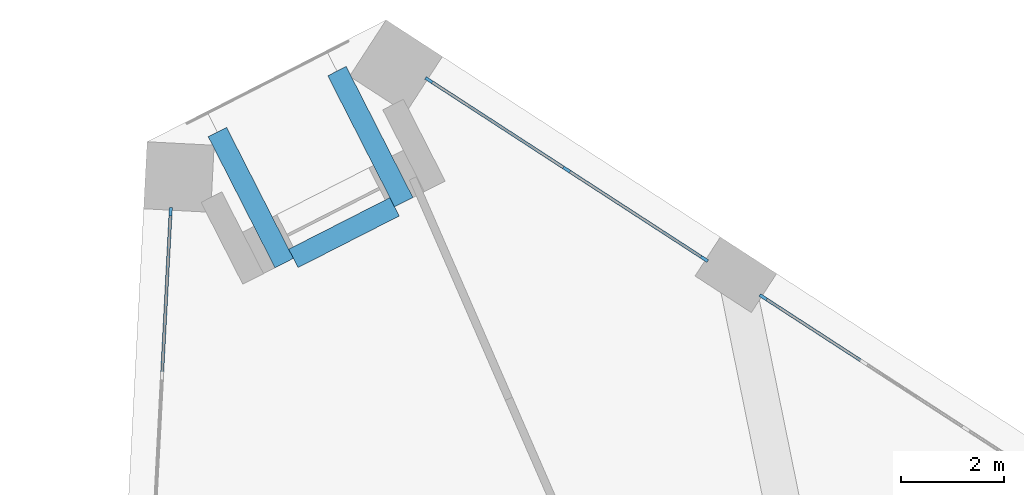
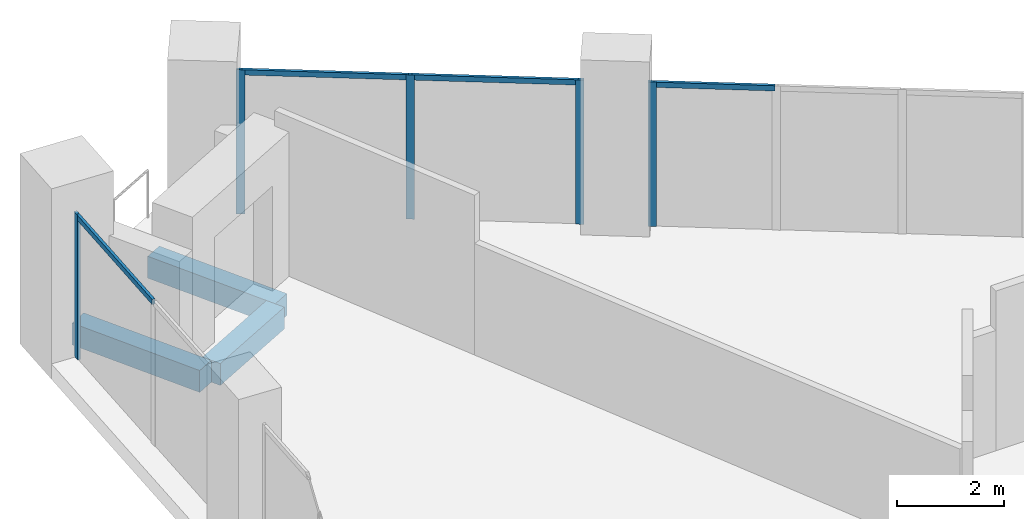
# One storey, part 8 of 18: 9 members, 3 beams, 3 elements without a shape of their own.
"""IFC4 building model written with IfcOpenShell, lengths in metres."""

import ifcopenshell
import ifcopenshell.guid

model = None  # the IFC model being written
_history = None  # IfcOwnerHistory: only IFC2X3 demands one
_inside = {}  # id of a spatial element -> (the spatial element, [elements in it])
_under = {}  # id of a project, library or spatial element -> (it, [spatial elements below it])
_declared = {}  # id of a project -> (the project, [libraries it declares])
_typed = {}  # id of a type object -> (the type object, [elements of that type])
_made_of = {}  # id of a material, layer set ... -> (it, [elements and type objects made of it])


def new_model(schema):
    """Start an empty IFC model of exactly this schema.

    Asked for "IFC4X3", IfcOpenShell would pick the latest addendum, in which some entities
    have other attributes; the version numbers below select the first issue.
    IFC2X3 requires an IfcOwnerHistory on every rooted entity: one is made here for all.
    """
    global model, _history
    if schema == "IFC4X3":
        model = ifcopenshell.file(schema_version=(4, 3, 0, 0))
    else:
        model = ifcopenshell.file(schema=schema)
    _inside.clear()
    _under.clear()
    _declared.clear()
    _typed.clear()
    _made_of.clear()
    _history = None
    if model.schema == "IFC2X3":
        org = make("IfcOrganization", Name="unknown")
        user = make(
            "IfcPersonAndOrganization",
            ThePerson=make("IfcPerson", FamilyName="unknown"),
            TheOrganization=org,
        )
        app = make(
            "IfcApplication",
            ApplicationDeveloper=org,
            Version="unknown",
            ApplicationFullName="unknown",
            ApplicationIdentifier="unknown",
        )
        _history = make(
            "IfcOwnerHistory",
            OwningUser=user,
            OwningApplication=app,
            ChangeAction="ADDED",
            CreationDate=0,
        )
    return model


def make(cls, **values):
    """One entity of the class cls with the attributes given. An attribute that is None is left unset."""
    return model.create_entity(
        cls, **{name: value for name, value in values.items() if value is not None}
    )


def rooted(cls, **values):
    """An entity with a GlobalId (a new one), such as an element, a storey or a relation."""
    return make(cls, GlobalId=ifcopenshell.guid.new(), OwnerHistory=_history, **values)


def si_unit(unit_type, name, prefix=None):
    """IfcSIUnit, for example si_unit("LENGTHUNIT", "METRE", prefix="MILLI")."""
    return make("IfcSIUnit", UnitType=unit_type, Prefix=prefix, Name=name)


def assignment(units):
    """IfcUnitAssignment: the units of a project."""
    return None if units is None else make("IfcUnitAssignment", Units=units)


def point(xyz):
    """IfcCartesianPoint."""
    return None if xyz is None else make("IfcCartesianPoint", Coordinates=xyz)


def direction(xyz):
    """IfcDirection."""
    return None if xyz is None else make("IfcDirection", DirectionRatios=xyz)


def frame(location, z_axis=None, x_axis=None):
    """IfcAxis2Placement3D, a coordinate frame: its origin and axes. An axis left out is left unset."""
    return make(
        "IfcAxis2Placement3D",
        Location=point(location),
        Axis=direction(z_axis),
        RefDirection=direction(x_axis),
    )


def frame_2d(location, x_axis=None):
    """IfcAxis2Placement2D, a coordinate frame in the plane: its origin and x axis."""
    return make(
        "IfcAxis2Placement2D", Location=point(location), RefDirection=direction(x_axis)
    )


def origin():
    """The frame at (0, 0, 0) with its axes left unset."""
    return frame((0.0, 0.0, 0.0))


def origin_2d():
    """The frame at (0, 0) in the plane with its x axis left unset."""
    return frame_2d((0.0, 0.0))


def place(relative_to, where):
    """IfcLocalPlacement: puts the frame where relative to a parent placement (None: the world)."""
    return make(
        "IfcLocalPlacement", PlacementRelTo=relative_to, RelativePlacement=where
    )


def context(
    kind, dimensions, precision=None, world=None, true_north=None, identifier=None
):
    """IfcGeometricRepresentationContext, for example the 3D "Model" context."""
    return make(
        "IfcGeometricRepresentationContext",
        ContextIdentifier=identifier,
        ContextType=kind,
        CoordinateSpaceDimension=dimensions,
        Precision=precision,
        WorldCoordinateSystem=world,
        TrueNorth=true_north,
    )


def subcontext(parent, identifier, kind, view, scale=None):
    """IfcGeometricRepresentationSubContext, for example "Body" below "Model"."""
    return make(
        "IfcGeometricRepresentationSubContext",
        ContextIdentifier=identifier,
        ContextType=kind,
        ParentContext=parent,
        TargetScale=scale,
        TargetView=view,
    )


def project(units=None, contexts=None):
    """IfcProject with its units and contexts."""
    return rooted(
        "IfcProject",
        Name="project",
        RepresentationContexts=contexts,
        UnitsInContext=assignment(units),
    )


def spatial(cls, under=None, at=None, **own):
    """A site, building, storey or space (cls), placed at a placement, below another one or the project."""
    s = rooted(cls, ObjectPlacement=at, **own)
    if under is not None:
        _under.setdefault(under.id(), (under, []))[1].append(s)
    return s


def profile(cls, at=None, kind="AREA", **sizes):
    """A parametric profile (cls). Its sizes go by their IFC names, for example OverallWidth=200.0."""
    return make(cls, ProfileType=kind, Position=at, **sizes)


def rectangle(**sizes):
    """IfcRectangleProfileDef."""
    return profile("IfcRectangleProfileDef", **sizes)


def extrude(swept, where, along, depth):
    """IfcExtrudedAreaSolid: the profile swept, set in the frame where, extruded along a direction by depth."""
    return make(
        "IfcExtrudedAreaSolid",
        SweptArea=swept,
        Position=where,
        ExtrudedDirection=direction(along),
        Depth=depth,
    )


def shape(context_of_items, identifier, shape_type, items):
    """IfcShapeRepresentation: the items that make up one representation, for example the "Body"."""
    return make(
        "IfcShapeRepresentation",
        ContextOfItems=context_of_items,
        RepresentationIdentifier=identifier,
        RepresentationType=shape_type,
        Items=items,
    )


def material(Name=None, Category=None):
    """IfcMaterial."""
    return make("IfcMaterial", Name=Name, Category=Category)


def layer(
    of_material, thickness, ventilated=None, Name=None, Category=None, Priority=None
):
    """IfcMaterialLayer: one layer of a wall or slab, of a material (None: an air gap)."""
    return make(
        "IfcMaterialLayer",
        Material=of_material,
        LayerThickness=thickness,
        IsVentilated=ventilated,
        Name=Name,
        Category=Category,
        Priority=Priority,
    )


def layer_set(layers, Name=None):
    """IfcMaterialLayerSet."""
    return make("IfcMaterialLayerSet", MaterialLayers=layers, LayerSetName=Name)


def material_profile(
    of_material, cross_section, Name=None, Category=None, Priority=None
):
    """IfcMaterialProfile: a cross section and its material."""
    return make(
        "IfcMaterialProfile",
        Name=Name,
        Material=of_material,
        Profile=cross_section,
        Priority=Priority,
        Category=Category,
    )


def profile_set(profiles, Name=None, composite=None):
    """IfcMaterialProfileSet."""
    return make(
        "IfcMaterialProfileSet",
        Name=Name,
        MaterialProfiles=profiles,
        CompositeProfile=composite,
    )


def made_of(thing, what):
    """Note that an element or type object is made of a material, layer set ...; save() writes the relation."""
    if what is not None:
        _made_of.setdefault(what.id(), (what, []))[1].append(thing)
    return thing


def type_object(cls, material=None, **own):
    """A type object (cls), such as IfcWallType, which elements share."""
    return made_of(rooted(cls, **own), material)


def element(
    cls,
    number,
    at=None,
    inside=None,
    cuts=None,
    type_object=None,
    material=None,
    context=None,
    identifier="Body",
    shape_type=None,
    held_by="IfcProductDefinitionShape",
    body=None,
    shapes=None,
    **own,
):
    """One element of the class cls, such as IfcWall. Its Tag is "e" and its number.

    at: its placement. inside: the storey or other place that contains it. cuts: it is an
    opening in that element (IfcRelVoidsElement). A single representation is given by context,
    identifier, shape_type and body (its items); several are given by shapes. held_by: the class
    of the entity that holds the representations. save() writes the other relations.
    """
    e = rooted(cls, Tag="e%d" % number, ObjectPlacement=at, **own)
    if body is not None:
        shapes = [shape(context, identifier, shape_type, body)]
    if shapes is not None:
        e.Representation = make(held_by, Representations=shapes)
    if inside is not None:
        _inside.setdefault(inside.id(), (inside, []))[1].append(e)
    if cuts is not None:
        rooted(
            "IfcRelVoidsElement", RelatingBuildingElement=cuts, RelatedOpeningElement=e
        )
    if type_object is not None:
        _typed.setdefault(type_object.id(), (type_object, []))[1].append(e)
    return made_of(e, material)


def aggregate(whole, parts):
    """IfcRelAggregates: a whole, such as a stair, and the parts it consists of."""
    return rooted("IfcRelAggregates", RelatingObject=whole, RelatedObjects=parts)


def save(model, path):
    """Write the relations noted so far, then the file.

    IfcRelAggregates (storeys below a building ...), IfcRelContainedInSpatialStructure (elements
    in a storey), IfcRelDefinesByType, IfcRelAssociatesMaterial and IfcRelDeclares: one each for
    every whole, place, type object, material and project.
    """
    for whole, parts in _under.values():
        aggregate(whole, parts)
    for where, things in _inside.values():
        rooted(
            "IfcRelContainedInSpatialStructure",
            RelatedElements=things,
            RelatingStructure=where,
        )
    for kind, things in _typed.values():
        rooted("IfcRelDefinesByType", RelatedObjects=things, RelatingType=kind)
    for what, things in _made_of.values():
        rooted("IfcRelAssociatesMaterial", RelatedObjects=things, RelatingMaterial=what)
    for by, libraries in _declared.values():
        rooted("IfcRelDeclares", RelatingContext=by, RelatedDefinitions=libraries)
    model.write(path)


model = new_model("IFC4")

# Units and contexts
model_context = context("Model", 3, precision=1e-05, world=origin(), true_north=direction((0.0, 1.0)))
body_context = subcontext(model_context, "Body", "Model", "MODEL_VIEW")
ifc_project = project(units=[si_unit("LENGTHUNIT", "METRE"), si_unit("AREAUNIT", "SQUARE_METRE"), si_unit("VOLUMEUNIT", "CUBIC_METRE"), si_unit("PLANEANGLEUNIT", "RADIAN"), si_unit("MASSUNIT", "GRAM", prefix="KILO")], contexts=[model_context])

# Site, building, storey
site_placement = place(None, origin())
site = spatial("IfcSite", under=ifc_project, at=site_placement, CompositionType="ELEMENT")
building_placement = place(site_placement, origin())
building = spatial("IfcBuilding", under=site, at=building_placement, Name="Tramontana Tower", CompositionType="ELEMENT")
storey_placement = place(building_placement, frame((0.0, 0.0, 125.60009765625)))
storey = spatial("IfcBuildingStorey", under=building, at=storey_placement, Name="L28", CompositionType="ELEMENT", Elevation=125.60009765625)

# Curtain wall, member
ifc_material_1 = material(Name="Aluminum extrusion", Category="aluminium")
ifc_layer = layer(ifc_material_1, 0.14990234375)
ifc_layer_set = layer_set([ifc_layer], Name="CW3 Sky lobby 1 curtain wall")
curtain_wall_type = type_object("IfcCurtainWallType", Name="CW3 Sky lobby 1 curtain wall", PredefinedType="NOTDEFINED", material=ifc_layer_set)
curtain_wall_1_placement = place(storey_placement, origin())
curtain_wall_1 = element("IfcCurtainWall", 1, at=curtain_wall_1_placement, inside=storey, type_object=curtain_wall_type, Name="CW3 curtain wall L28 face 0 bay 1", PredefinedType="NOTDEFINED")
ifc_material_2 = material(Name="Aluminum extrusion", Category="aluminium")
ifc_material_profile_1 = material_profile(ifc_material_2, rectangle(XDim=0.06005859375, YDim=0.159912109375, at=origin_2d()), Name="CW3-M Mullion 60 x 160")
ifc_profile_set_1 = profile_set([ifc_material_profile_1], Name="Aluminum extrusion")
member_type_1 = type_object("IfcMemberType", Name="CW3-M Mullion 60 x 160", PredefinedType="MULLION", material=ifc_profile_set_1)
member_1_placement = place(storey_placement, frame((-15.70703125, 24.640625, 0.0), z_axis=(0.0, 0.0, 1.0), x_axis=(0.998629534755, -0.052335956243, 0.0)))
member_1 = element("IfcMember", 2, at=member_1_placement, type_object=member_type_1, Name="CW3 curtain wall L28 face 0 bay 1 mullion 1", PredefinedType="MULLION", context=body_context, shape_type="SweptSolid", body=[
    extrude(rectangle(XDim=0.06005859375, YDim=0.159912109375, at=origin_2d()), origin(), (0.0, 0.0, 1.0), 3.2998046875),
])

curtain_wall_2_placement = place(storey_placement, origin())
curtain_wall_2 = element("IfcCurtainWall", 3, at=curtain_wall_2_placement, inside=storey, type_object=curtain_wall_type, Name="CW3 curtain wall L28 face 2 bay 5", PredefinedType="NOTDEFINED")
member_2_placement = place(storey_placement, frame((-4.2265625, 22.985107421875, 0.0), z_axis=(0.0, 0.0, 1.0), x_axis=(-0.544639035015, -0.838670567945, 0.0)))
member_2 = element("IfcMember", 4, at=member_2_placement, type_object=member_type_1, Name="CW3 curtain wall L28 face 2 bay 5 mullion 4", PredefinedType="MULLION", context=body_context, shape_type="SweptSolid", body=[
    extrude(rectangle(XDim=0.06005859375, YDim=0.159912109375, at=origin_2d()), origin(), (0.0, 0.0, 1.0), 3.2998046875),
])

# Curtain wall, members
curtain_wall_3_placement = place(storey_placement, origin())
curtain_wall_3 = element("IfcCurtainWall", 5, at=curtain_wall_3_placement, inside=storey, type_object=curtain_wall_type, Name="CW3 curtain wall L28 face 2 bay 6", PredefinedType="NOTDEFINED")
member_3_placement = place(storey_placement, frame((-5.366943359375, 23.725830078125, 0.0), z_axis=(0.0, 0.0, 1.0), x_axis=(-0.544639035015, -0.838670567945, 0.0)))
member_3 = element("IfcMember", 6, at=member_3_placement, type_object=member_type_1, Name="CW3 curtain wall L28 face 2 bay 6 mullion 1", PredefinedType="MULLION", context=body_context, shape_type="SweptSolid", body=[
    extrude(rectangle(XDim=0.06005859375, YDim=0.159912109375, at=origin_2d()), origin(), (0.0, 0.0, 1.0), 3.2998046875),
])
member_4_placement = place(storey_placement, frame((-8.03466796875, 25.458251953125, 0.0), z_axis=(0.0, 0.0, 1.0), x_axis=(-0.544639035015, -0.838670567945, 0.0)))
member_4 = element("IfcMember", 7, at=member_4_placement, type_object=member_type_1, Name="CW3 curtain wall L28 face 2 bay 6 mullion 2", PredefinedType="MULLION", context=body_context, shape_type="SweptSolid", body=[
    extrude(rectangle(XDim=0.06005859375, YDim=0.159912109375, at=origin_2d()), origin(), (0.0, 0.0, 1.0), 3.2998046875),
])
member_5_placement = place(storey_placement, frame((-10.702392578125, 27.1904296875, 0.0), z_axis=(0.0, 0.0, 1.0), x_axis=(-0.544639035015, -0.838670567945, 0.0)))
member_5 = element("IfcMember", 8, at=member_5_placement, type_object=member_type_1, Name="CW3 curtain wall L28 face 2 bay 6 mullion 3", PredefinedType="MULLION", context=body_context, shape_type="SweptSolid", body=[
    extrude(rectangle(XDim=0.06005859375, YDim=0.159912109375, at=origin_2d()), origin(), (0.0, 0.0, 1.0), 3.2998046875),
])

# Member
ifc_material_3 = material(Name="Aluminum extrusion", Category="aluminium")
ifc_material_profile_2 = material_profile(ifc_material_3, rectangle(XDim=0.06005859375, YDim=0.1201171875, at=origin_2d()), Name="CW3-T Transom 60 x 120")
ifc_profile_set_2 = profile_set([ifc_material_profile_2], Name="Aluminum extrusion")
member_type_2 = type_object("IfcMemberType", Name="CW3-T Transom 60 x 120", PredefinedType="USERDEFINED", material=ifc_profile_set_2)
member_6_placement = place(storey_placement, frame((-15.70849609375, 24.610595703125, 3.239990234375), z_axis=(-0.052337102902, -0.99862947466, 0.0), x_axis=(0.99862947466, -0.052337102902, 0.0)))
member_6 = element("IfcMember", 9, at=member_6_placement, type_object=member_type_2, Name="CW3 curtain wall L28 face 0 bay 1 transom 1.1", ObjectType="TRANSOM", PredefinedType="USERDEFINED", context=body_context, shape_type="SweptSolid", body=[
    extrude(rectangle(XDim=0.06005859375, YDim=0.1201171875, at=origin_2d()), origin(), (0.0, 0.0, 1.0), 3.120849609375),
])

aggregate(curtain_wall_1, [member_1, member_6])

member_7_placement = place(storey_placement, frame((-2.2998046875, 21.73388671875, 3.239990234375), z_axis=(-0.838650220238, 0.544670366456, 0.0), x_axis=(-0.544670366456, -0.838650220238, 0.0)))
member_7 = element("IfcMember", 10, at=member_7_placement, type_object=member_type_2, Name="CW3 curtain wall L28 face 2 bay 5 transom 3.1", ObjectType="TRANSOM", PredefinedType="USERDEFINED", context=body_context, shape_type="SweptSolid", body=[
    extrude(rectangle(XDim=0.06005859375, YDim=0.1201171875, at=origin_2d()), origin(), (0.0, 0.0, 1.0), 2.26708984375),
])

aggregate(curtain_wall_2, [member_2, member_7])

member_8_placement = place(storey_placement, frame((-5.39208984375, 23.7421875, 3.239990234375), z_axis=(-0.838681244854, 0.544622593664, 0.0), x_axis=(-0.544622593664, -0.838681244854, 0.0)))
member_8 = element("IfcMember", 11, at=member_8_placement, type_object=member_type_2, Name="CW3 curtain wall L28 face 2 bay 6 transom 1.1", ObjectType="TRANSOM", PredefinedType="USERDEFINED", context=body_context, shape_type="SweptSolid", body=[
    extrude(rectangle(XDim=0.06005859375, YDim=0.1201171875, at=origin_2d()), origin(), (0.0, 0.0, 1.0), 3.120849609375),
])

member_9_placement = place(storey_placement, frame((-8.059814453125, 25.474365234375, 3.239990234375), z_axis=(-0.838681244854, 0.544622593664, 0.0), x_axis=(-0.544622593664, -0.838681244854, 0.0)))
member_9 = element("IfcMember", 12, at=member_9_placement, type_object=member_type_2, Name="CW3 curtain wall L28 face 2 bay 6 transom 2.1", ObjectType="TRANSOM", PredefinedType="USERDEFINED", context=body_context, shape_type="SweptSolid", body=[
    extrude(rectangle(XDim=0.06005859375, YDim=0.1201171875, at=origin_2d()), origin(), (0.0, 0.0, 1.0), 3.120849609375),
])

aggregate(curtain_wall_3, [member_3, member_4, member_5, member_8, member_9])

# Beams
ifc_material_4 = material(Name="Concrete 40 MPa", Category="concrete")
ifc_material_profile_3 = material_profile(ifc_material_4, rectangle(XDim=0.39990234375, YDim=0.5, at=origin_2d()), Name="RC TRIM BEAM 400X500 40 MPa")
ifc_profile_set_3 = profile_set([ifc_material_profile_3], Name="Concrete 40 MPa")
beam_type = type_object("IfcBeamType", Name="RC TRIM BEAM 400X500 40 MPa", PredefinedType="JOIST", material=ifc_profile_set_3)
beam_placement = place(storey_placement, frame((-11.368408203125, 24.73486328125, -0.60009765625), z_axis=(-0.891005618941, -0.453992276384, 0.0), x_axis=(0.453992276384, -0.891005618941, 0.0)))
element("IfcBeam", 13, at=beam_placement, inside=storey, type_object=beam_type, Name="Trimmer beam K0 L28", PredefinedType="JOIST", context=body_context, shape_type="SweptSolid", body=[
    extrude(rectangle(XDim=0.39990234375, YDim=0.5, at=origin_2d()), origin(), (0.0, 0.0, 1.0), 2.199951171875),
])
for number, where, z_axis, x_axis, name in (
    (14, (-12.484130859375, 27.364990234375, -0.60009765625), (0.454019457317, -0.890991768973, 0.0), (0.890991768973, 0.454019457317, 0.0), "Tray beam K0L L28"),
    (15, (-14.80078125, 26.1845703125, -0.60009765625), (0.454019457317, -0.890991768973, 0.0), (0.890991768973, 0.454019457317, 0.0), "Tray beam K0R L28"),
):
    element("IfcBeam", number, at=place(storey_placement, frame(where, z_axis=z_axis, x_axis=x_axis)), inside=storey, type_object=beam_type, Name=name, PredefinedType="JOIST", context=body_context, shape_type="SweptSolid", body=[
        extrude(rectangle(XDim=0.39990234375, YDim=0.5, at=origin_2d()), origin(), (0.0, 0.0, 1.0), 2.85009765625),
    ])

save(model, "model.ifc")
